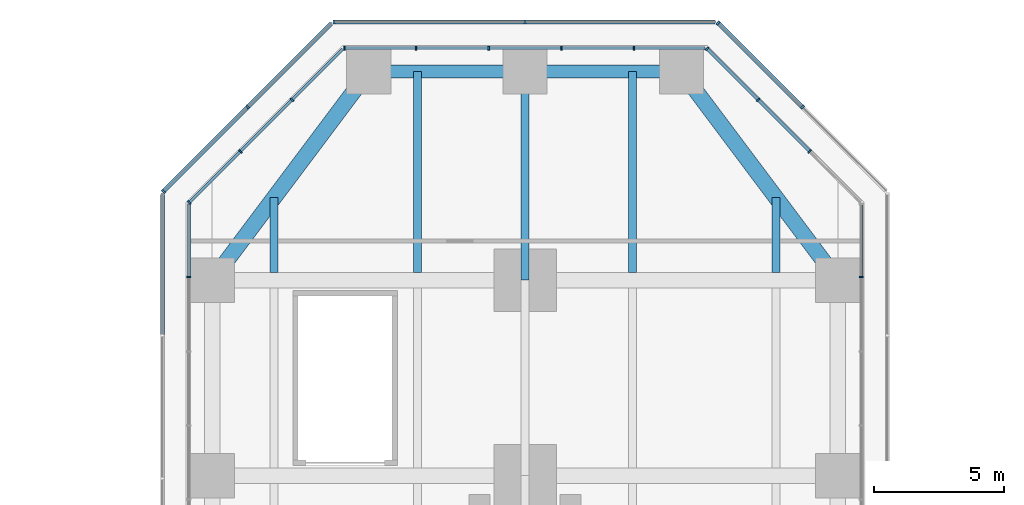
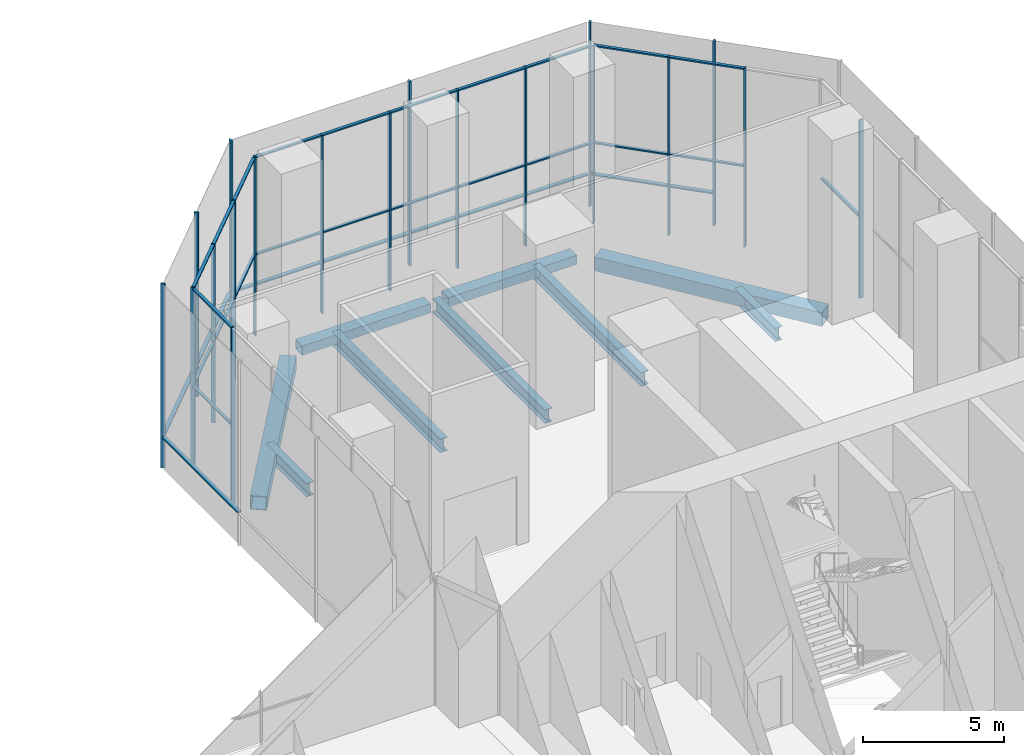
# One storey, part 12 of 25: 48 members, 9 beams, 9 elements without a shape of their own.
"""IFC4 building model written with IfcOpenShell, lengths in metres."""

import ifcopenshell
import ifcopenshell.guid

model = None  # the IFC model being written
_history = None  # IfcOwnerHistory: only IFC2X3 demands one
_inside = {}  # id of a spatial element -> (the spatial element, [elements in it])
_under = {}  # id of a project, library or spatial element -> (it, [spatial elements below it])
_declared = {}  # id of a project -> (the project, [libraries it declares])
_typed = {}  # id of a type object -> (the type object, [elements of that type])
_made_of = {}  # id of a material, layer set ... -> (it, [elements and type objects made of it])


def new_model(schema):
    """Start an empty IFC model of exactly this schema.

    Asked for "IFC4X3", IfcOpenShell would pick the latest addendum, in which some entities
    have other attributes; the version numbers below select the first issue.
    IFC2X3 requires an IfcOwnerHistory on every rooted entity: one is made here for all.
    """
    global model, _history
    if schema == "IFC4X3":
        model = ifcopenshell.file(schema_version=(4, 3, 0, 0))
    else:
        model = ifcopenshell.file(schema=schema)
    _inside.clear()
    _under.clear()
    _declared.clear()
    _typed.clear()
    _made_of.clear()
    _history = None
    if model.schema == "IFC2X3":
        org = make("IfcOrganization", Name="unknown")
        user = make(
            "IfcPersonAndOrganization",
            ThePerson=make("IfcPerson", FamilyName="unknown"),
            TheOrganization=org,
        )
        app = make(
            "IfcApplication",
            ApplicationDeveloper=org,
            Version="unknown",
            ApplicationFullName="unknown",
            ApplicationIdentifier="unknown",
        )
        _history = make(
            "IfcOwnerHistory",
            OwningUser=user,
            OwningApplication=app,
            ChangeAction="ADDED",
            CreationDate=0,
        )
    return model


def make(cls, **values):
    """One entity of the class cls with the attributes given. An attribute that is None is left unset."""
    return model.create_entity(
        cls, **{name: value for name, value in values.items() if value is not None}
    )


def rooted(cls, **values):
    """An entity with a GlobalId (a new one), such as an element, a storey or a relation."""
    return make(cls, GlobalId=ifcopenshell.guid.new(), OwnerHistory=_history, **values)


def si_unit(unit_type, name, prefix=None):
    """IfcSIUnit, for example si_unit("LENGTHUNIT", "METRE", prefix="MILLI")."""
    return make("IfcSIUnit", UnitType=unit_type, Prefix=prefix, Name=name)


def assignment(units):
    """IfcUnitAssignment: the units of a project."""
    return None if units is None else make("IfcUnitAssignment", Units=units)


def point(xyz):
    """IfcCartesianPoint."""
    return None if xyz is None else make("IfcCartesianPoint", Coordinates=xyz)


def direction(xyz):
    """IfcDirection."""
    return None if xyz is None else make("IfcDirection", DirectionRatios=xyz)


def frame(location, z_axis=None, x_axis=None):
    """IfcAxis2Placement3D, a coordinate frame: its origin and axes. An axis left out is left unset."""
    return make(
        "IfcAxis2Placement3D",
        Location=point(location),
        Axis=direction(z_axis),
        RefDirection=direction(x_axis),
    )


def frame_2d(location, x_axis=None):
    """IfcAxis2Placement2D, a coordinate frame in the plane: its origin and x axis."""
    return make(
        "IfcAxis2Placement2D", Location=point(location), RefDirection=direction(x_axis)
    )


def origin():
    """The frame at (0, 0, 0) with its axes left unset."""
    return frame((0.0, 0.0, 0.0))


def origin_2d():
    """The frame at (0, 0) in the plane with its x axis left unset."""
    return frame_2d((0.0, 0.0))


def place(relative_to, where):
    """IfcLocalPlacement: puts the frame where relative to a parent placement (None: the world)."""
    return make(
        "IfcLocalPlacement", PlacementRelTo=relative_to, RelativePlacement=where
    )


def context(
    kind, dimensions, precision=None, world=None, true_north=None, identifier=None
):
    """IfcGeometricRepresentationContext, for example the 3D "Model" context."""
    return make(
        "IfcGeometricRepresentationContext",
        ContextIdentifier=identifier,
        ContextType=kind,
        CoordinateSpaceDimension=dimensions,
        Precision=precision,
        WorldCoordinateSystem=world,
        TrueNorth=true_north,
    )


def subcontext(parent, identifier, kind, view, scale=None):
    """IfcGeometricRepresentationSubContext, for example "Body" below "Model"."""
    return make(
        "IfcGeometricRepresentationSubContext",
        ContextIdentifier=identifier,
        ContextType=kind,
        ParentContext=parent,
        TargetScale=scale,
        TargetView=view,
    )


def project(units=None, contexts=None):
    """IfcProject with its units and contexts."""
    return rooted(
        "IfcProject",
        Name="project",
        RepresentationContexts=contexts,
        UnitsInContext=assignment(units),
    )


def spatial(cls, under=None, at=None, **own):
    """A site, building, storey or space (cls), placed at a placement, below another one or the project."""
    s = rooted(cls, ObjectPlacement=at, **own)
    if under is not None:
        _under.setdefault(under.id(), (under, []))[1].append(s)
    return s


def profile(cls, at=None, kind="AREA", **sizes):
    """A parametric profile (cls). Its sizes go by their IFC names, for example OverallWidth=200.0."""
    return make(cls, ProfileType=kind, Position=at, **sizes)


def rectangle(**sizes):
    """IfcRectangleProfileDef."""
    return profile("IfcRectangleProfileDef", **sizes)


def hollow_rectangle(**sizes):
    """IfcRectangleHollowProfileDef."""
    return profile("IfcRectangleHollowProfileDef", **sizes)


def i_section(**sizes):
    """IfcIShapeProfileDef."""
    return profile("IfcIShapeProfileDef", **sizes)


def extrude(swept, where, along, depth):
    """IfcExtrudedAreaSolid: the profile swept, set in the frame where, extruded along a direction by depth."""
    return make(
        "IfcExtrudedAreaSolid",
        SweptArea=swept,
        Position=where,
        ExtrudedDirection=direction(along),
        Depth=depth,
    )


def shape(context_of_items, identifier, shape_type, items):
    """IfcShapeRepresentation: the items that make up one representation, for example the "Body"."""
    return make(
        "IfcShapeRepresentation",
        ContextOfItems=context_of_items,
        RepresentationIdentifier=identifier,
        RepresentationType=shape_type,
        Items=items,
    )


def material(Name=None, Category=None):
    """IfcMaterial."""
    return make("IfcMaterial", Name=Name, Category=Category)


def material_profile(
    of_material, cross_section, Name=None, Category=None, Priority=None
):
    """IfcMaterialProfile: a cross section and its material."""
    return make(
        "IfcMaterialProfile",
        Name=Name,
        Material=of_material,
        Profile=cross_section,
        Priority=Priority,
        Category=Category,
    )


def profile_set(profiles, Name=None, composite=None):
    """IfcMaterialProfileSet."""
    return make(
        "IfcMaterialProfileSet",
        Name=Name,
        MaterialProfiles=profiles,
        CompositeProfile=composite,
    )


def made_of(thing, what):
    """Note that an element or type object is made of a material, layer set ...; save() writes the relation."""
    if what is not None:
        _made_of.setdefault(what.id(), (what, []))[1].append(thing)
    return thing


def type_object(cls, material=None, **own):
    """A type object (cls), such as IfcWallType, which elements share."""
    return made_of(rooted(cls, **own), material)


def element(
    cls,
    number,
    at=None,
    inside=None,
    cuts=None,
    type_object=None,
    material=None,
    context=None,
    identifier="Body",
    shape_type=None,
    held_by="IfcProductDefinitionShape",
    body=None,
    shapes=None,
    **own,
):
    """One element of the class cls, such as IfcWall. Its Tag is "e" and its number.

    at: its placement. inside: the storey or other place that contains it. cuts: it is an
    opening in that element (IfcRelVoidsElement). A single representation is given by context,
    identifier, shape_type and body (its items); several are given by shapes. held_by: the class
    of the entity that holds the representations. save() writes the other relations.
    """
    e = rooted(cls, Tag="e%d" % number, ObjectPlacement=at, **own)
    if body is not None:
        shapes = [shape(context, identifier, shape_type, body)]
    if shapes is not None:
        e.Representation = make(held_by, Representations=shapes)
    if inside is not None:
        _inside.setdefault(inside.id(), (inside, []))[1].append(e)
    if cuts is not None:
        rooted(
            "IfcRelVoidsElement", RelatingBuildingElement=cuts, RelatedOpeningElement=e
        )
    if type_object is not None:
        _typed.setdefault(type_object.id(), (type_object, []))[1].append(e)
    return made_of(e, material)


def aggregate(whole, parts):
    """IfcRelAggregates: a whole, such as a stair, and the parts it consists of."""
    return rooted("IfcRelAggregates", RelatingObject=whole, RelatedObjects=parts)


def save(model, path):
    """Write the relations noted so far, then the file.

    IfcRelAggregates (storeys below a building ...), IfcRelContainedInSpatialStructure (elements
    in a storey), IfcRelDefinesByType, IfcRelAssociatesMaterial and IfcRelDeclares: one each for
    every whole, place, type object, material and project.
    """
    for whole, parts in _under.values():
        aggregate(whole, parts)
    for where, things in _inside.values():
        rooted(
            "IfcRelContainedInSpatialStructure",
            RelatedElements=things,
            RelatingStructure=where,
        )
    for kind, things in _typed.values():
        rooted("IfcRelDefinesByType", RelatedObjects=things, RelatingType=kind)
    for what, things in _made_of.values():
        rooted("IfcRelAssociatesMaterial", RelatedObjects=things, RelatingMaterial=what)
    for by, libraries in _declared.values():
        rooted("IfcRelDeclares", RelatingContext=by, RelatedDefinitions=libraries)
    model.write(path)


model = new_model("IFC4")

# Units and contexts
model_context = context("Model", 3, precision=1e-05, world=origin(), true_north=direction((0.0, 1.0)))
body_context = subcontext(model_context, "Body", "Model", "MODEL_VIEW")
ifc_project = project(units=[si_unit("LENGTHUNIT", "METRE"), si_unit("AREAUNIT", "SQUARE_METRE"), si_unit("VOLUMEUNIT", "CUBIC_METRE"), si_unit("PLANEANGLEUNIT", "RADIAN"), si_unit("MASSUNIT", "GRAM", prefix="KILO")], contexts=[model_context])

# Site, building, storey
site_placement = place(None, origin())
site = spatial("IfcSite", under=ifc_project, at=site_placement, CompositionType="ELEMENT")
building_placement = place(site_placement, origin())
building = spatial("IfcBuilding", under=site, at=building_placement, Name="Mizan Broadcast Tower", CompositionType="ELEMENT")
storey_placement = place(building_placement, frame((0.0, 0.0, 15.0)))
storey = spatial("IfcBuildingStorey", under=building, at=storey_placement, Name="L02", CompositionType="ELEMENT", Elevation=15.0)

# Beams
ifc_material_1 = material(Name="Steel S355", Category="steel")
ifc_material_profile_1 = material_profile(ifc_material_1, hollow_rectangle(XDim=0.5, YDim=0.39990234375, WallThickness=0.02490234375, at=origin_2d()), Name="BOX 400x500x25")
ifc_profile_set_1 = profile_set([ifc_material_profile_1], Name="Steel S355")
beam_type_1 = type_object("IfcBeamType", Name="EDGE BEAM BOX 400x500x25", PredefinedType="SPANDREL", material=ifc_profile_set_1)
for number, where, z_axis, x_axis, name in (
    (1, (5.639892578125, 35.0, -0.449951171875), (-1.0, 0.0, 0.0), (0.0, -1.0, 0.0), "Edge beam BOX 400x500x25 L02 north arm"),
    (2, (-5.639892578125, 35.0, -0.449951171875), (1.0, 0.0, 0.0), (0.0, 1.0, 0.0), "Edge beam BOX 400x500x25 L02 north arm"),
):
    element("IfcBeam", number, at=place(storey_placement, frame(where, z_axis=z_axis, x_axis=x_axis)), inside=storey, type_object=beam_type_1, Name=name, PredefinedType="SPANDREL", context=body_context, shape_type="SweptSolid", body=[
        extrude(hollow_rectangle(XDim=0.5, YDim=0.39990234375, WallThickness=0.02490234375, at=origin_2d()), origin(), (0.0, 0.0, 1.0), 5.27978515625),
    ])
ifc_material_2 = material(Name="Steel S355", Category="steel")
ifc_material_profile_2 = material_profile(ifc_material_2, hollow_rectangle(XDim=0.60009765625, YDim=0.60009765625, WallThickness=0.030029296875, at=origin_2d()), Name="BOX 600x600x30")
ifc_profile_set_2 = profile_set([ifc_material_profile_2], Name="Steel S355")
beam_type_2 = type_object("IfcBeamType", Name="EDGE BEAM BOX 600x600x30", PredefinedType="SPANDREL", material=ifc_profile_set_2)
for number, where, z_axis, x_axis, name in (
    (3, (11.639892578125, 27.47998046875, -0.550048828125), (-0.599982243973, 0.800013316712, 0.0), (-0.800013316712, -0.599982243973, 0.0), "Edge beam BOX 600x600x30 L02 north arm"),
    (4, (-11.639892578125, 27.47998046875, -0.550048828125), (0.599982243973, 0.800013316712, 0.0), (-0.800013316712, 0.599982243973, 0.0), "Edge beam BOX 600x600x30 L02 north arm"),
):
    element("IfcBeam", number, at=place(storey_placement, frame(where, z_axis=z_axis, x_axis=x_axis)), inside=storey, type_object=beam_type_2, Name=name, PredefinedType="SPANDREL", context=body_context, shape_type="SweptSolid", body=[
        extrude(hollow_rectangle(XDim=0.60009765625, YDim=0.60009765625, WallThickness=0.030029296875, at=origin_2d()), origin(), (0.0, 0.0, 1.0), 8.7998046875),
    ])

# Curtain wall, member
ifc_material_3 = material(Name="Aluminium framed glazing", Category="aluminium")
curtain_wall_type_1 = type_object("IfcCurtainWallType", Name="PODIUM CURTAIN WALL", PredefinedType="USERDEFINED", material=ifc_material_3)
curtain_wall_1_placement = place(storey_placement, origin())
curtain_wall_1 = element("IfcCurtainWall", 5, at=curtain_wall_1_placement, inside=storey, type_object=curtain_wall_type_1, Name="Podium curtain wall L02 N side", ObjectType="PODIUM CURTAIN WALL", PredefinedType="USERDEFINED")
ifc_material_4 = material(Name="Aluminium, pale anodised", Category="aluminium")
ifc_material_profile_3 = material_profile(ifc_material_4, rectangle(XDim=0.159912109375, YDim=0.06005859375, at=origin_2d()), Name="MULLION 160x60")
ifc_profile_set_3 = profile_set([ifc_material_profile_3], Name="Aluminium, pale anodised")
member_type_1 = type_object("IfcMemberType", Name="INNER SKIN MULLION 60x160", PredefinedType="MULLION", material=ifc_profile_set_3)
member_1_placement = place(storey_placement, frame((12.89990234375, 27.115478515625, 0.0), z_axis=(0.0, 0.0, 1.0), x_axis=(-1.0, 0.0, 0.0)))
member_1 = element("IfcMember", 6, at=member_1_placement, type_object=member_type_1, Name="Podium curtain wall L02 N side mullion 6", PredefinedType="MULLION", context=body_context, shape_type="SweptSolid", body=[
    extrude(rectangle(XDim=0.159912109375, YDim=0.06005859375, at=origin_2d()), origin(), (0.0, 0.0, 1.0), 7.75),
])

# Curtain wall, members
curtain_wall_2_placement = place(storey_placement, origin())
curtain_wall_2 = element("IfcCurtainWall", 7, at=curtain_wall_2_placement, inside=storey, type_object=curtain_wall_type_1, Name="Podium curtain wall L02 N chamfer", ObjectType="PODIUM CURTAIN WALL", PredefinedType="USERDEFINED")
member_2_placement = place(storey_placement, frame((10.91943359375, 31.93896484375, 0.0), z_axis=(0.0, 0.0, 1.0), x_axis=(-0.707106781187, -0.707106781187, 0.0)))
member_2 = element("IfcMember", 8, at=member_2_placement, type_object=member_type_1, Name="Podium curtain wall L02 N chamfer mullion 2", PredefinedType="MULLION", context=body_context, shape_type="SweptSolid", body=[
    extrude(rectangle(XDim=0.159912109375, YDim=0.06005859375, at=origin_2d()), origin(), (0.0, 0.0, 1.0), 7.75),
])
member_3_placement = place(storey_placement, frame((8.93896484375, 33.91943359375, 0.0), z_axis=(0.0, 0.0, 1.0), x_axis=(-0.707106781187, -0.707106781187, 0.0)))
member_3 = element("IfcMember", 9, at=member_3_placement, type_object=member_type_1, Name="Podium curtain wall L02 N chamfer mullion 3", PredefinedType="MULLION", context=body_context, shape_type="SweptSolid", body=[
    extrude(rectangle(XDim=0.159912109375, YDim=0.06005859375, at=origin_2d()), origin(), (0.0, 0.0, 1.0), 7.75),
])
member_4_placement = place(storey_placement, frame((6.979736328125, 35.87890625, 0.0), z_axis=(0.0, 0.0, 1.0), x_axis=(-0.707106781187, -0.707106781187, 0.0)))
member_4 = element("IfcMember", 10, at=member_4_placement, type_object=member_type_1, Name="Podium curtain wall L02 N chamfer mullion 4", PredefinedType="MULLION", context=body_context, shape_type="SweptSolid", body=[
    extrude(rectangle(XDim=0.159912109375, YDim=0.06005859375, at=origin_2d()), origin(), (0.0, 0.0, 1.0), 7.75),
])

curtain_wall_3_placement = place(storey_placement, origin())
curtain_wall_3 = element("IfcCurtainWall", 11, at=curtain_wall_3_placement, inside=storey, type_object=curtain_wall_type_1, Name="Podium curtain wall L02 N end", ObjectType="PODIUM CURTAIN WALL", PredefinedType="USERDEFINED")
member_5_placement = place(storey_placement, frame((4.175048828125, 35.89990234375, 0.0), z_axis=(0.0, 0.0, 1.0), x_axis=(0.0, -1.0, 0.0)))
member_5 = element("IfcMember", 12, at=member_5_placement, type_object=member_type_1, Name="Podium curtain wall L02 N end mullion 2", PredefinedType="MULLION", context=body_context, shape_type="SweptSolid", body=[
    extrude(rectangle(XDim=0.159912109375, YDim=0.06005859375, at=origin_2d()), origin(), (0.0, 0.0, 1.0), 7.75),
])
member_6_placement = place(storey_placement, frame((1.3916015625, 35.89990234375, 0.0), z_axis=(0.0, 0.0, 1.0), x_axis=(0.0, -1.0, 0.0)))
member_6 = element("IfcMember", 13, at=member_6_placement, type_object=member_type_1, Name="Podium curtain wall L02 N end mullion 3", PredefinedType="MULLION", context=body_context, shape_type="SweptSolid", body=[
    extrude(rectangle(XDim=0.159912109375, YDim=0.06005859375, at=origin_2d()), origin(), (0.0, 0.0, 1.0), 7.75),
])
member_7_placement = place(storey_placement, frame((-1.3916015625, 35.89990234375, 0.0), z_axis=(0.0, 0.0, 1.0), x_axis=(0.0, -1.0, 0.0)))
member_7 = element("IfcMember", 14, at=member_7_placement, type_object=member_type_1, Name="Podium curtain wall L02 N end mullion 4", PredefinedType="MULLION", context=body_context, shape_type="SweptSolid", body=[
    extrude(rectangle(XDim=0.159912109375, YDim=0.06005859375, at=origin_2d()), origin(), (0.0, 0.0, 1.0), 7.75),
])
member_8_placement = place(storey_placement, frame((-4.175048828125, 35.89990234375, 0.0), z_axis=(0.0, 0.0, 1.0), x_axis=(0.0, -1.0, 0.0)))
member_8 = element("IfcMember", 15, at=member_8_placement, type_object=member_type_1, Name="Podium curtain wall L02 N end mullion 5", PredefinedType="MULLION", context=body_context, shape_type="SweptSolid", body=[
    extrude(rectangle(XDim=0.159912109375, YDim=0.06005859375, at=origin_2d()), origin(), (0.0, 0.0, 1.0), 7.75),
])
member_9_placement = place(storey_placement, frame((-6.928466796875, 35.89990234375, 0.0), z_axis=(0.0, 0.0, 1.0), x_axis=(0.0, -1.0, 0.0)))
member_9 = element("IfcMember", 16, at=member_9_placement, type_object=member_type_1, Name="Podium curtain wall L02 N end mullion 6", PredefinedType="MULLION", context=body_context, shape_type="SweptSolid", body=[
    extrude(rectangle(XDim=0.159912109375, YDim=0.06005859375, at=origin_2d()), origin(), (0.0, 0.0, 1.0), 7.75),
])

curtain_wall_4_placement = place(storey_placement, origin())
curtain_wall_4 = element("IfcCurtainWall", 17, at=curtain_wall_4_placement, inside=storey, type_object=curtain_wall_type_1, Name="Podium curtain wall L02 N chamfer", ObjectType="PODIUM CURTAIN WALL", PredefinedType="USERDEFINED")
member_10_placement = place(storey_placement, frame((-8.93896484375, 33.91943359375, 0.0), z_axis=(0.0, 0.0, 1.0), x_axis=(0.707106781187, -0.707106781187, 0.0)))
member_10 = element("IfcMember", 18, at=member_10_placement, type_object=member_type_1, Name="Podium curtain wall L02 N chamfer mullion 2", PredefinedType="MULLION", context=body_context, shape_type="SweptSolid", body=[
    extrude(rectangle(XDim=0.159912109375, YDim=0.06005859375, at=origin_2d()), origin(), (0.0, 0.0, 1.0), 7.75),
])
member_11_placement = place(storey_placement, frame((-10.91943359375, 31.93896484375, 0.0), z_axis=(0.0, 0.0, 1.0), x_axis=(0.707106781187, -0.707106781187, 0.0)))
member_11 = element("IfcMember", 19, at=member_11_placement, type_object=member_type_1, Name="Podium curtain wall L02 N chamfer mullion 3", PredefinedType="MULLION", context=body_context, shape_type="SweptSolid", body=[
    extrude(rectangle(XDim=0.159912109375, YDim=0.06005859375, at=origin_2d()), origin(), (0.0, 0.0, 1.0), 7.75),
])
member_12_placement = place(storey_placement, frame((-12.87890625, 29.979736328125, 0.0), z_axis=(0.0, 0.0, 1.0), x_axis=(0.707106781187, -0.707106781187, 0.0)))
member_12 = element("IfcMember", 20, at=member_12_placement, type_object=member_type_1, Name="Podium curtain wall L02 N chamfer mullion 4", PredefinedType="MULLION", context=body_context, shape_type="SweptSolid", body=[
    extrude(rectangle(XDim=0.159912109375, YDim=0.06005859375, at=origin_2d()), origin(), (0.0, 0.0, 1.0), 7.75),
])

# Curtain wall, member
curtain_wall_5_placement = place(storey_placement, origin())
curtain_wall_5 = element("IfcCurtainWall", 21, at=curtain_wall_5_placement, inside=storey, type_object=curtain_wall_type_1, Name="Podium curtain wall L02 N side", ObjectType="PODIUM CURTAIN WALL", PredefinedType="USERDEFINED")
member_13_placement = place(storey_placement, frame((-12.89990234375, 27.115478515625, 0.0), z_axis=(0.0, 0.0, 1.0), x_axis=(1.0, 0.0, 0.0)))
member_13 = element("IfcMember", 22, at=member_13_placement, type_object=member_type_1, Name="Podium curtain wall L02 N side mullion 2", PredefinedType="MULLION", context=body_context, shape_type="SweptSolid", body=[
    extrude(rectangle(XDim=0.159912109375, YDim=0.06005859375, at=origin_2d()), origin(), (0.0, 0.0, 1.0), 7.75),
])

# Member
ifc_material_5 = material(Name="Aluminium, pale anodised", Category="aluminium")
ifc_material_profile_4 = material_profile(ifc_material_5, rectangle(XDim=0.1201171875, YDim=0.06005859375, at=origin_2d()), Name="TRANSOM 120x60")
ifc_profile_set_4 = profile_set([ifc_material_profile_4], Name="Aluminium, pale anodised")
member_type_2 = type_object("IfcMemberType", Name="INNER SKIN TRANSOM 60x120", PredefinedType="USERDEFINED", material=ifc_profile_set_4)
member_14_placement = place(storey_placement, frame((12.89990234375, 27.1455078125, 3.5), z_axis=(0.0, 1.0, 0.0), x_axis=(-1.0, 0.0, 0.0)))
member_14 = element("IfcMember", 23, at=member_14_placement, type_object=member_type_2, Name="Podium curtain wall L02 N side transom 6.1", ObjectType="TRANSOM", PredefinedType="USERDEFINED", context=body_context, shape_type="SweptSolid", body=[
    extrude(rectangle(XDim=0.1201171875, YDim=0.06005859375, at=origin_2d()), origin(), (0.0, 0.0, 1.0), 2.753173828125),
])

aggregate(curtain_wall_1, [member_1, member_14])

member_15_placement = place(storey_placement, frame((10.898193359375, 31.960205078125, 3.5), z_axis=(-0.707106781187, 0.707106781187, 0.0), x_axis=(-0.707106781187, -0.707106781187, 0.0)))
member_15 = element("IfcMember", 24, at=member_15_placement, type_object=member_type_2, Name="Podium curtain wall L02 N chamfer transom 2.1", ObjectType="TRANSOM", PredefinedType="USERDEFINED", context=body_context, shape_type="SweptSolid", body=[
    extrude(rectangle(XDim=0.1201171875, YDim=0.06005859375, at=origin_2d()), origin(), (0.0, 0.0, 1.0), 2.74072265625),
])

member_16_placement = place(storey_placement, frame((10.898193359375, 31.960205078125, 7.719970703125), z_axis=(-0.707106781187, 0.707106781187, 0.0), x_axis=(-0.707106781187, -0.707106781187, 0.0)))
member_16 = element("IfcMember", 25, at=member_16_placement, type_object=member_type_2, Name="Podium curtain wall L02 N chamfer transom 2.2", ObjectType="TRANSOM", PredefinedType="USERDEFINED", context=body_context, shape_type="SweptSolid", body=[
    extrude(rectangle(XDim=0.1201171875, YDim=0.06005859375, at=origin_2d()), origin(), (0.0, 0.0, 1.0), 2.74072265625),
])

member_17_placement = place(storey_placement, frame((8.917724609375, 33.940673828125, 3.5), z_axis=(-0.707061749709, 0.707151809797, 0.0), x_axis=(-0.707151809797, -0.707061749709, 0.0)))
member_17 = element("IfcMember", 26, at=member_17_placement, type_object=member_type_2, Name="Podium curtain wall L02 N chamfer transom 3.1", ObjectType="TRANSOM", PredefinedType="USERDEFINED", context=body_context, shape_type="SweptSolid", body=[
    extrude(rectangle(XDim=0.1201171875, YDim=0.06005859375, at=origin_2d()), origin(), (0.0, 0.0, 1.0), 2.7109375),
])

member_18_placement = place(storey_placement, frame((8.917724609375, 33.940673828125, 7.719970703125), z_axis=(-0.707061749709, 0.707151809797, 0.0), x_axis=(-0.707151809797, -0.707061749709, 0.0)))
member_18 = element("IfcMember", 27, at=member_18_placement, type_object=member_type_2, Name="Podium curtain wall L02 N chamfer transom 3.2", ObjectType="TRANSOM", PredefinedType="USERDEFINED", context=body_context, shape_type="SweptSolid", body=[
    extrude(rectangle(XDim=0.1201171875, YDim=0.06005859375, at=origin_2d()), origin(), (0.0, 0.0, 1.0), 2.7109375),
])

aggregate(curtain_wall_2, [member_2, member_3, member_4, member_15, member_16, member_17, member_18])

member_19_placement = place(storey_placement, frame((6.898681640625, 35.89990234375, 3.5), z_axis=(-1.0, 0.0, 0.0), x_axis=(0.0, -1.0, 0.0)))
member_19 = element("IfcMember", 28, at=member_19_placement, type_object=member_type_2, Name="Podium curtain wall L02 N end transom 1.1", ObjectType="TRANSOM", PredefinedType="USERDEFINED", context=body_context, shape_type="SweptSolid", body=[
    extrude(rectangle(XDim=0.1201171875, YDim=0.06005859375, at=origin_2d()), origin(), (0.0, 0.0, 1.0), 2.693603515625),
])

member_20_placement = place(storey_placement, frame((6.898681640625, 35.89990234375, 7.719970703125), z_axis=(-1.0, 0.0, 0.0), x_axis=(0.0, -1.0, 0.0)))
member_20 = element("IfcMember", 29, at=member_20_placement, type_object=member_type_2, Name="Podium curtain wall L02 N end transom 1.2", ObjectType="TRANSOM", PredefinedType="USERDEFINED", context=body_context, shape_type="SweptSolid", body=[
    extrude(rectangle(XDim=0.1201171875, YDim=0.06005859375, at=origin_2d()), origin(), (0.0, 0.0, 1.0), 2.693603515625),
])

member_21_placement = place(storey_placement, frame((4.145263671875, 35.89990234375, 3.5), z_axis=(-1.0, 0.0, 0.0), x_axis=(0.0, -1.0, 0.0)))
member_21 = element("IfcMember", 30, at=member_21_placement, type_object=member_type_2, Name="Podium curtain wall L02 N end transom 2.1", ObjectType="TRANSOM", PredefinedType="USERDEFINED", context=body_context, shape_type="SweptSolid", body=[
    extrude(rectangle(XDim=0.1201171875, YDim=0.06005859375, at=origin_2d()), origin(), (0.0, 0.0, 1.0), 2.7236328125),
])

member_22_placement = place(storey_placement, frame((4.145263671875, 35.89990234375, 7.719970703125), z_axis=(-1.0, 0.0, 0.0), x_axis=(0.0, -1.0, 0.0)))
member_22 = element("IfcMember", 31, at=member_22_placement, type_object=member_type_2, Name="Podium curtain wall L02 N end transom 2.2", ObjectType="TRANSOM", PredefinedType="USERDEFINED", context=body_context, shape_type="SweptSolid", body=[
    extrude(rectangle(XDim=0.1201171875, YDim=0.06005859375, at=origin_2d()), origin(), (0.0, 0.0, 1.0), 2.7236328125),
])

member_23_placement = place(storey_placement, frame((1.36181640625, 35.89990234375, 3.5), z_axis=(-1.0, 0.0, 0.0), x_axis=(0.0, -1.0, 0.0)))
member_23 = element("IfcMember", 32, at=member_23_placement, type_object=member_type_2, Name="Podium curtain wall L02 N end transom 3.1", ObjectType="TRANSOM", PredefinedType="USERDEFINED", context=body_context, shape_type="SweptSolid", body=[
    extrude(rectangle(XDim=0.1201171875, YDim=0.06005859375, at=origin_2d()), origin(), (0.0, 0.0, 1.0), 2.7236328125),
])

member_24_placement = place(storey_placement, frame((1.36181640625, 35.89990234375, 7.719970703125), z_axis=(-1.0, 0.0, 0.0), x_axis=(0.0, -1.0, 0.0)))
member_24 = element("IfcMember", 33, at=member_24_placement, type_object=member_type_2, Name="Podium curtain wall L02 N end transom 3.2", ObjectType="TRANSOM", PredefinedType="USERDEFINED", context=body_context, shape_type="SweptSolid", body=[
    extrude(rectangle(XDim=0.1201171875, YDim=0.06005859375, at=origin_2d()), origin(), (0.0, 0.0, 1.0), 2.7236328125),
])

member_25_placement = place(storey_placement, frame((-1.421630859375, 35.89990234375, 3.5), z_axis=(-1.0, 0.0, 0.0), x_axis=(0.0, -1.0, 0.0)))
member_25 = element("IfcMember", 34, at=member_25_placement, type_object=member_type_2, Name="Podium curtain wall L02 N end transom 4.1", ObjectType="TRANSOM", PredefinedType="USERDEFINED", context=body_context, shape_type="SweptSolid", body=[
    extrude(rectangle(XDim=0.1201171875, YDim=0.06005859375, at=origin_2d()), origin(), (0.0, 0.0, 1.0), 2.7236328125),
])

member_26_placement = place(storey_placement, frame((-1.421630859375, 35.89990234375, 7.719970703125), z_axis=(-1.0, 0.0, 0.0), x_axis=(0.0, -1.0, 0.0)))
member_26 = element("IfcMember", 35, at=member_26_placement, type_object=member_type_2, Name="Podium curtain wall L02 N end transom 4.2", ObjectType="TRANSOM", PredefinedType="USERDEFINED", context=body_context, shape_type="SweptSolid", body=[
    extrude(rectangle(XDim=0.1201171875, YDim=0.06005859375, at=origin_2d()), origin(), (0.0, 0.0, 1.0), 2.7236328125),
])

member_27_placement = place(storey_placement, frame((-4.205078125, 35.89990234375, 3.5), z_axis=(-1.0, 0.0, 0.0), x_axis=(0.0, -1.0, 0.0)))
member_27 = element("IfcMember", 36, at=member_27_placement, type_object=member_type_2, Name="Podium curtain wall L02 N end transom 5.1", ObjectType="TRANSOM", PredefinedType="USERDEFINED", context=body_context, shape_type="SweptSolid", body=[
    extrude(rectangle(XDim=0.1201171875, YDim=0.06005859375, at=origin_2d()), origin(), (0.0, 0.0, 1.0), 2.693603515625),
])

member_28_placement = place(storey_placement, frame((-4.205078125, 35.89990234375, 7.719970703125), z_axis=(-1.0, 0.0, 0.0), x_axis=(0.0, -1.0, 0.0)))
member_28 = element("IfcMember", 37, at=member_28_placement, type_object=member_type_2, Name="Podium curtain wall L02 N end transom 5.2", ObjectType="TRANSOM", PredefinedType="USERDEFINED", context=body_context, shape_type="SweptSolid", body=[
    extrude(rectangle(XDim=0.1201171875, YDim=0.06005859375, at=origin_2d()), origin(), (0.0, 0.0, 1.0), 2.693603515625),
])

aggregate(curtain_wall_3, [member_5, member_6, member_7, member_8, member_9, member_19, member_20, member_21, member_22, member_23, member_24, member_25, member_26, member_27, member_28])

member_29_placement = place(storey_placement, frame((-7.0009765625, 35.857666015625, 3.5), z_axis=(-0.707061749709, -0.707151809797, 0.0), x_axis=(0.707151809797, -0.707061749709, 0.0)))
member_29 = element("IfcMember", 38, at=member_29_placement, type_object=member_type_2, Name="Podium curtain wall L02 N chamfer transom 1.1", ObjectType="TRANSOM", PredefinedType="USERDEFINED", context=body_context, shape_type="SweptSolid", body=[
    extrude(rectangle(XDim=0.1201171875, YDim=0.06005859375, at=origin_2d()), origin(), (0.0, 0.0, 1.0), 2.7109375),
])

member_30_placement = place(storey_placement, frame((-7.0009765625, 35.857666015625, 7.719970703125), z_axis=(-0.707061749709, -0.707151809797, 0.0), x_axis=(0.707151809797, -0.707061749709, 0.0)))
member_30 = element("IfcMember", 39, at=member_30_placement, type_object=member_type_2, Name="Podium curtain wall L02 N chamfer transom 1.2", ObjectType="TRANSOM", PredefinedType="USERDEFINED", context=body_context, shape_type="SweptSolid", body=[
    extrude(rectangle(XDim=0.1201171875, YDim=0.06005859375, at=origin_2d()), origin(), (0.0, 0.0, 1.0), 2.7109375),
])

member_31_placement = place(storey_placement, frame((-8.960205078125, 33.898193359375, 3.5), z_axis=(-0.707106781187, -0.707106781187, 0.0), x_axis=(0.707106781187, -0.707106781187, 0.0)))
member_31 = element("IfcMember", 40, at=member_31_placement, type_object=member_type_2, Name="Podium curtain wall L02 N chamfer transom 2.1", ObjectType="TRANSOM", PredefinedType="USERDEFINED", context=body_context, shape_type="SweptSolid", body=[
    extrude(rectangle(XDim=0.1201171875, YDim=0.06005859375, at=origin_2d()), origin(), (0.0, 0.0, 1.0), 2.74072265625),
])

member_32_placement = place(storey_placement, frame((-8.960205078125, 33.898193359375, 7.719970703125), z_axis=(-0.707106781187, -0.707106781187, 0.0), x_axis=(0.707106781187, -0.707106781187, 0.0)))
member_32 = element("IfcMember", 41, at=member_32_placement, type_object=member_type_2, Name="Podium curtain wall L02 N chamfer transom 2.2", ObjectType="TRANSOM", PredefinedType="USERDEFINED", context=body_context, shape_type="SweptSolid", body=[
    extrude(rectangle(XDim=0.1201171875, YDim=0.06005859375, at=origin_2d()), origin(), (0.0, 0.0, 1.0), 2.74072265625),
])

member_33_placement = place(storey_placement, frame((-10.940673828125, 31.917724609375, 3.5), z_axis=(-0.707151809797, -0.707061749709, 0.0), x_axis=(0.707061749709, -0.707151809797, 0.0)))
member_33 = element("IfcMember", 42, at=member_33_placement, type_object=member_type_2, Name="Podium curtain wall L02 N chamfer transom 3.1", ObjectType="TRANSOM", PredefinedType="USERDEFINED", context=body_context, shape_type="SweptSolid", body=[
    extrude(rectangle(XDim=0.1201171875, YDim=0.06005859375, at=origin_2d()), origin(), (0.0, 0.0, 1.0), 2.7109375),
])

member_34_placement = place(storey_placement, frame((-10.940673828125, 31.917724609375, 7.719970703125), z_axis=(-0.707151809797, -0.707061749709, 0.0), x_axis=(0.707061749709, -0.707151809797, 0.0)))
member_34 = element("IfcMember", 43, at=member_34_placement, type_object=member_type_2, Name="Podium curtain wall L02 N chamfer transom 3.2", ObjectType="TRANSOM", PredefinedType="USERDEFINED", context=body_context, shape_type="SweptSolid", body=[
    extrude(rectangle(XDim=0.1201171875, YDim=0.06005859375, at=origin_2d()), origin(), (0.0, 0.0, 1.0), 2.7109375),
])

aggregate(curtain_wall_4, [member_10, member_11, member_12, member_29, member_30, member_31, member_32, member_33, member_34])

member_35_placement = place(storey_placement, frame((-12.89990234375, 29.898681640625, 3.5), z_axis=(0.0, -1.0, 0.0), x_axis=(1.0, 0.0, 0.0)))
member_35 = element("IfcMember", 44, at=member_35_placement, type_object=member_type_2, Name="Podium curtain wall L02 N side transom 1.1", ObjectType="TRANSOM", PredefinedType="USERDEFINED", context=body_context, shape_type="SweptSolid", body=[
    extrude(rectangle(XDim=0.1201171875, YDim=0.06005859375, at=origin_2d()), origin(), (0.0, 0.0, 1.0), 2.753173828125),
])

member_36_placement = place(storey_placement, frame((-12.89990234375, 29.898681640625, 7.719970703125), z_axis=(0.0, -1.0, 0.0), x_axis=(1.0, 0.0, 0.0)))
member_36 = element("IfcMember", 45, at=member_36_placement, type_object=member_type_2, Name="Podium curtain wall L02 N side transom 1.2", ObjectType="TRANSOM", PredefinedType="USERDEFINED", context=body_context, shape_type="SweptSolid", body=[
    extrude(rectangle(XDim=0.1201171875, YDim=0.06005859375, at=origin_2d()), origin(), (0.0, 0.0, 1.0), 2.753173828125),
])

aggregate(curtain_wall_5, [member_13, member_35, member_36])

# Curtain wall, members
ifc_material_6 = material(Name="Aluminium framed glazing", Category="aluminium")
curtain_wall_type_2 = type_object("IfcCurtainWallType", Name="OUTER SKIN", PredefinedType="USERDEFINED", material=ifc_material_6)
curtain_wall_6_placement = place(storey_placement, origin())
curtain_wall_6 = element("IfcCurtainWall", 46, at=curtain_wall_6_placement, inside=storey, type_object=curtain_wall_type_2, Name="Outer skin L02 N chamfer", ObjectType="OUTER SKIN", PredefinedType="USERDEFINED")
ifc_material_7 = material(Name="Aluminium, pale anodised", Category="aluminium")
ifc_material_profile_5 = material_profile(ifc_material_7, rectangle(XDim=0.159912109375, YDim=0.080078125, at=origin_2d()), Name="MULLION 160x80")
ifc_profile_set_5 = profile_set([ifc_material_profile_5], Name="Aluminium, pale anodised")
member_type_3 = type_object("IfcMemberType", Name="OUTER SKIN MULLION 80x160", PredefinedType="MULLION", material=ifc_profile_set_5)
member_37_placement = place(storey_placement, frame((10.636474609375, 33.636474609375, 0.0), z_axis=(0.0, 0.0, 1.0), x_axis=(-0.707106781187, -0.707106781187, 0.0)))
member_37 = element("IfcMember", 47, at=member_37_placement, type_object=member_type_3, Name="Outer skin L02 N chamfer mullion 2", PredefinedType="MULLION", context=body_context, shape_type="SweptSolid", body=[
    extrude(rectangle(XDim=0.159912109375, YDim=0.080078125, at=origin_2d()), origin(), (0.0, 0.0, 1.0), 8.0),
])
member_38_placement = place(storey_placement, frame((7.401123046875, 36.871826171875, 0.0), z_axis=(0.0, 0.0, 1.0), x_axis=(-0.707106781187, -0.707106781187, 0.0)))
member_38 = element("IfcMember", 48, at=member_38_placement, type_object=member_type_3, Name="Outer skin L02 N chamfer mullion 3", PredefinedType="MULLION", context=body_context, shape_type="SweptSolid", body=[
    extrude(rectangle(XDim=0.159912109375, YDim=0.080078125, at=origin_2d()), origin(), (0.0, 0.0, 1.0), 8.0),
])

curtain_wall_7_placement = place(storey_placement, origin())
curtain_wall_7 = element("IfcCurtainWall", 49, at=curtain_wall_7_placement, inside=storey, type_object=curtain_wall_type_2, Name="Outer skin L02 N end", ObjectType="OUTER SKIN", PredefinedType="USERDEFINED")
member_39_placement = place(storey_placement, frame((0.0, 36.89990234375, 0.0), z_axis=(0.0, 0.0, 1.0), x_axis=(0.0, -1.0, 0.0)))
member_39 = element("IfcMember", 50, at=member_39_placement, type_object=member_type_3, Name="Outer skin L02 N end mullion 2", PredefinedType="MULLION", context=body_context, shape_type="SweptSolid", body=[
    extrude(rectangle(XDim=0.159912109375, YDim=0.080078125, at=origin_2d()), origin(), (0.0, 0.0, 1.0), 8.0),
])
member_40_placement = place(storey_placement, frame((-7.332763671875, 36.89990234375, 0.0), z_axis=(0.0, 0.0, 1.0), x_axis=(0.0, -1.0, 0.0)))
member_40 = element("IfcMember", 51, at=member_40_placement, type_object=member_type_3, Name="Outer skin L02 N end mullion 3", PredefinedType="MULLION", context=body_context, shape_type="SweptSolid", body=[
    extrude(rectangle(XDim=0.159912109375, YDim=0.080078125, at=origin_2d()), origin(), (0.0, 0.0, 1.0), 8.0),
])

curtain_wall_8_placement = place(storey_placement, origin())
curtain_wall_8 = element("IfcCurtainWall", 52, at=curtain_wall_8_placement, inside=storey, type_object=curtain_wall_type_2, Name="Outer skin L02 N chamfer", ObjectType="OUTER SKIN", PredefinedType="USERDEFINED")
member_41_placement = place(storey_placement, frame((-10.636474609375, 33.636474609375, 0.0), z_axis=(0.0, 0.0, 1.0), x_axis=(0.707106781187, -0.707106781187, 0.0)))
member_41 = element("IfcMember", 53, at=member_41_placement, type_object=member_type_3, Name="Outer skin L02 N chamfer mullion 2", PredefinedType="MULLION", context=body_context, shape_type="SweptSolid", body=[
    extrude(rectangle(XDim=0.159912109375, YDim=0.080078125, at=origin_2d()), origin(), (0.0, 0.0, 1.0), 8.0),
])
member_42_placement = place(storey_placement, frame((-13.871826171875, 30.401123046875, 0.0), z_axis=(0.0, 0.0, 1.0), x_axis=(0.707106781187, -0.707106781187, 0.0)))
member_42 = element("IfcMember", 54, at=member_42_placement, type_object=member_type_3, Name="Outer skin L02 N chamfer mullion 3", PredefinedType="MULLION", context=body_context, shape_type="SweptSolid", body=[
    extrude(rectangle(XDim=0.159912109375, YDim=0.080078125, at=origin_2d()), origin(), (0.0, 0.0, 1.0), 8.0),
])

# Member
ifc_material_8 = material(Name="Aluminium, pale anodised", Category="aluminium")
ifc_material_profile_6 = material_profile(ifc_material_8, rectangle(XDim=0.159912109375, YDim=0.06005859375, at=origin_2d()), Name="TRANSOM 160x60")
ifc_profile_set_6 = profile_set([ifc_material_profile_6], Name="Aluminium, pale anodised")
member_type_4 = type_object("IfcMemberType", Name="OUTER SKIN TRANSOM 60x160", PredefinedType="USERDEFINED", material=ifc_profile_set_6)
member_43_placement = place(storey_placement, frame((10.608154296875, 33.664794921875, 1.39990234375), z_axis=(-0.707106781187, 0.707106781187, 0.0), x_axis=(-0.707106781187, -0.707106781187, 0.0)))
member_43 = element("IfcMember", 55, at=member_43_placement, type_object=member_type_4, Name="Outer skin L02 N chamfer transom 2.1", ObjectType="TRANSOM", PredefinedType="USERDEFINED", context=body_context, shape_type="SweptSolid", body=[
    extrude(rectangle(XDim=0.159912109375, YDim=0.06005859375, at=origin_2d()), origin(), (0.0, 0.0, 1.0), 4.495361328125),
])

aggregate(curtain_wall_6, [member_37, member_38, member_43])

member_44_placement = place(storey_placement, frame((7.292724609375, 36.89990234375, 1.39990234375), z_axis=(-1.0, 0.0, 0.0), x_axis=(0.0, -1.0, 0.0)))
member_44 = element("IfcMember", 56, at=member_44_placement, type_object=member_type_4, Name="Outer skin L02 N end transom 1.1", ObjectType="TRANSOM", PredefinedType="USERDEFINED", context=body_context, shape_type="SweptSolid", body=[
    extrude(rectangle(XDim=0.159912109375, YDim=0.06005859375, at=origin_2d()), origin(), (0.0, 0.0, 1.0), 7.252685546875),
])

member_45_placement = place(storey_placement, frame((-0.0400390625, 36.89990234375, 1.39990234375), z_axis=(-1.0, 0.0, 0.0), x_axis=(0.0, -1.0, 0.0)))
member_45 = element("IfcMember", 57, at=member_45_placement, type_object=member_type_4, Name="Outer skin L02 N end transom 2.1", ObjectType="TRANSOM", PredefinedType="USERDEFINED", context=body_context, shape_type="SweptSolid", body=[
    extrude(rectangle(XDim=0.159912109375, YDim=0.06005859375, at=origin_2d()), origin(), (0.0, 0.0, 1.0), 7.252685546875),
])

aggregate(curtain_wall_7, [member_39, member_40, member_44, member_45])

member_46_placement = place(storey_placement, frame((-7.429443359375, 36.843505859375, 1.39990234375), z_axis=(-0.707106781187, -0.707106781187, 0.0), x_axis=(0.707106781187, -0.707106781187, 0.0)))
member_46 = element("IfcMember", 58, at=member_46_placement, type_object=member_type_4, Name="Outer skin L02 N chamfer transom 1.1", ObjectType="TRANSOM", PredefinedType="USERDEFINED", context=body_context, shape_type="SweptSolid", body=[
    extrude(rectangle(XDim=0.159912109375, YDim=0.06005859375, at=origin_2d()), origin(), (0.0, 0.0, 1.0), 4.495361328125),
])

member_47_placement = place(storey_placement, frame((-10.664794921875, 33.608154296875, 1.39990234375), z_axis=(-0.707106781187, -0.707106781187, 0.0), x_axis=(0.707106781187, -0.707106781187, 0.0)))
member_47 = element("IfcMember", 59, at=member_47_placement, type_object=member_type_4, Name="Outer skin L02 N chamfer transom 2.1", ObjectType="TRANSOM", PredefinedType="USERDEFINED", context=body_context, shape_type="SweptSolid", body=[
    extrude(rectangle(XDim=0.159912109375, YDim=0.06005859375, at=origin_2d()), origin(), (0.0, 0.0, 1.0), 4.495361328125),
])

aggregate(curtain_wall_8, [member_41, member_42, member_46, member_47])

# Curtain wall, member
curtain_wall_9_placement = place(storey_placement, origin())
curtain_wall_9 = element("IfcCurtainWall", 60, at=curtain_wall_9_placement, inside=storey, type_object=curtain_wall_type_2, Name="Outer skin L02 N side", ObjectType="OUTER SKIN", PredefinedType="USERDEFINED")
member_48_placement = place(storey_placement, frame((-13.89990234375, 30.292724609375, 1.39990234375), z_axis=(0.0, -1.0, 0.0), x_axis=(1.0, 0.0, 0.0)))
member_48 = element("IfcMember", 61, at=member_48_placement, type_object=member_type_4, Name="Outer skin L02 N side transom 1.1", ObjectType="TRANSOM", PredefinedType="USERDEFINED", context=body_context, shape_type="SweptSolid", body=[
    extrude(rectangle(XDim=0.159912109375, YDim=0.06005859375, at=origin_2d()), origin(), (0.0, 0.0, 1.0), 5.370849609375),
])
aggregate(curtain_wall_9, [member_48])

# Beams
ifc_material_9 = material(Name="Steel S355", Category="steel")
ifc_material_profile_7 = material_profile(ifc_material_9, i_section(OverallWidth=0.300048828125, OverallDepth=0.590087890625, WebThickness=0.012939453125, FlangeThickness=0.02490234375, FilletRadius=0.027099609375, at=origin_2d()), Name="HEA 600")
ifc_profile_set_7 = profile_set([ifc_material_profile_7], Name="Steel S355")
beam_type_3 = type_object("IfcBeamType", Name="SECONDARY BEAM HEA 600", PredefinedType="JOIST", material=ifc_profile_set_7)
beam_1_placement = place(storey_placement, frame((9.625, 27.300048828125, -0.544921875), z_axis=(0.0, 1.0, 0.0), x_axis=(-1.0, 0.0, 0.0)))
element("IfcBeam", 62, at=beam_1_placement, inside=storey, type_object=beam_type_3, Name="Secondary beam HEA 600 L02 north arm", PredefinedType="JOIST", context=body_context, shape_type="SweptSolid", body=[
    extrude(i_section(OverallWidth=0.300048828125, OverallDepth=0.590087890625, WebThickness=0.012939453125, FlangeThickness=0.02490234375, FilletRadius=0.027099609375, at=origin_2d()), origin(), (0.0, 0.0, 1.0), 2.86669921875),
])
beam_2_placement = place(storey_placement, frame((4.125, 27.300048828125, -0.544921875), z_axis=(0.0, 1.0, 0.0), x_axis=(-1.0, 0.0, 0.0)))
element("IfcBeam", 63, at=beam_2_placement, inside=storey, type_object=beam_type_3, Name="Secondary beam HEA 600 L02 north arm", PredefinedType="JOIST", context=body_context, shape_type="SweptSolid", body=[
    extrude(i_section(OverallWidth=0.300048828125, OverallDepth=0.590087890625, WebThickness=0.012939453125, FlangeThickness=0.02490234375, FilletRadius=0.027099609375, at=origin_2d()), origin(), (0.0, 0.0, 1.0), 7.699951171875),
])
beam_3_placement = place(storey_placement, frame((0.0, 27.0, -0.544921875), z_axis=(0.0, 1.0, 0.0), x_axis=(-1.0, 0.0, 0.0)))
element("IfcBeam", 64, at=beam_3_placement, inside=storey, type_object=beam_type_3, Name="Secondary beam HEA 600 L02 north arm", PredefinedType="JOIST", context=body_context, shape_type="SweptSolid", body=[
    extrude(i_section(OverallWidth=0.300048828125, OverallDepth=0.590087890625, WebThickness=0.012939453125, FlangeThickness=0.02490234375, FilletRadius=0.027099609375, at=origin_2d()), origin(), (0.0, 0.0, 1.0), 8.0),
])
beam_4_placement = place(storey_placement, frame((-4.125, 27.300048828125, -0.544921875), z_axis=(0.0, 1.0, 0.0), x_axis=(-1.0, 0.0, 0.0)))
element("IfcBeam", 65, at=beam_4_placement, inside=storey, type_object=beam_type_3, Name="Secondary beam HEA 600 L02 north arm", PredefinedType="JOIST", context=body_context, shape_type="SweptSolid", body=[
    extrude(i_section(OverallWidth=0.300048828125, OverallDepth=0.590087890625, WebThickness=0.012939453125, FlangeThickness=0.02490234375, FilletRadius=0.027099609375, at=origin_2d()), origin(), (0.0, 0.0, 1.0), 7.699951171875),
])
beam_5_placement = place(storey_placement, frame((-9.625, 27.300048828125, -0.544921875), z_axis=(0.0, 1.0, 0.0), x_axis=(-1.0, 0.0, 0.0)))
element("IfcBeam", 66, at=beam_5_placement, inside=storey, type_object=beam_type_3, Name="Secondary beam HEA 600 L02 north arm", PredefinedType="JOIST", context=body_context, shape_type="SweptSolid", body=[
    extrude(i_section(OverallWidth=0.300048828125, OverallDepth=0.590087890625, WebThickness=0.012939453125, FlangeThickness=0.02490234375, FilletRadius=0.027099609375, at=origin_2d()), origin(), (0.0, 0.0, 1.0), 2.86669921875),
])

save(model, "model.ifc")
